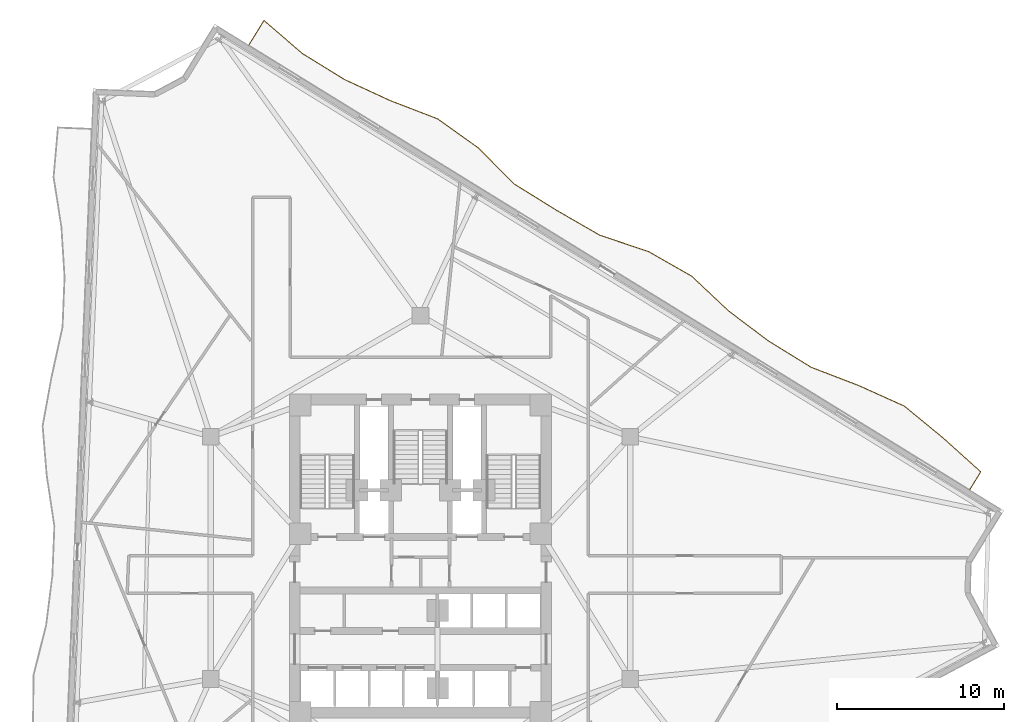
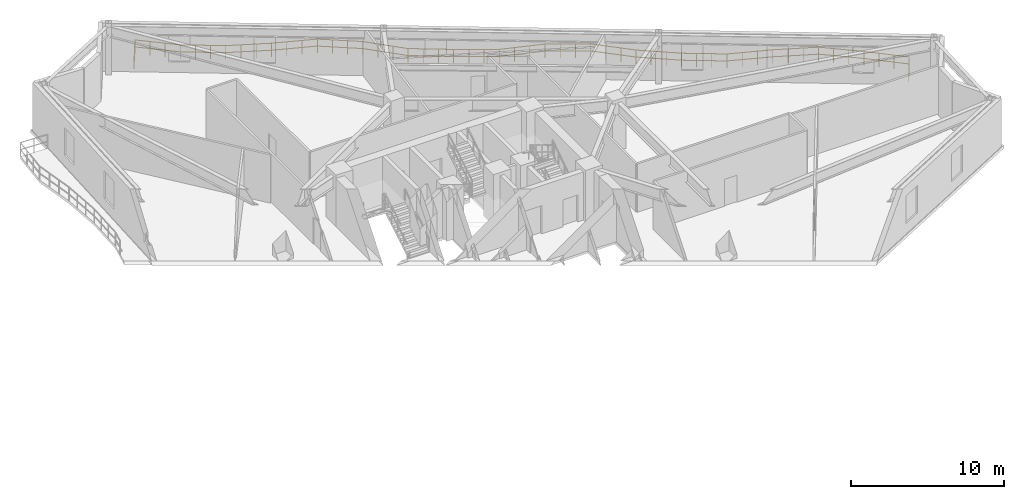
# One storey, part 10 of 10: 1 railing.
"""IFC4 building model written with IfcOpenShell, lengths in metres."""

from ifc_helpers import new_model, si_unit, direction, frame, origin, origin_2d, place, context, subcontext, project, spatial, rectangle, extrude, material, type_object, element, save


model = new_model("IFC4")

# Units and contexts
model_context = context("Model", 3, precision=1e-05, world=origin(), true_north=direction((0.0, 1.0)))
body_context = subcontext(model_context, "Body", "Model", "MODEL_VIEW")
ifc_project = project(units=[si_unit("LENGTHUNIT", "METRE"), si_unit("AREAUNIT", "SQUARE_METRE"), si_unit("VOLUMEUNIT", "CUBIC_METRE"), si_unit("PLANEANGLEUNIT", "RADIAN"), si_unit("MASSUNIT", "GRAM", prefix="KILO")], contexts=[model_context])

# Site, building, storey
site_placement = place(None, origin())
site = spatial("IfcSite", under=ifc_project, at=site_placement, CompositionType="ELEMENT")
building_placement = place(site_placement, origin())
building = spatial("IfcBuilding", under=site, at=building_placement, Name="Apsidion Concourse Tower", CompositionType="ELEMENT")
storey_placement = place(building_placement, frame((0.0, 0.0, 177.800048828125)))
storey = spatial("IfcBuildingStorey", under=building, at=storey_placement, Name="L41", CompositionType="ELEMENT", Elevation=177.800048828125)

# Railing
ifc_material = material(Name="Brushed stainless steel 316", Category="steel")
railing_type = type_object("IfcRailingType", Name="RL-BAL-1120", PredefinedType="BALUSTRADE", material=ifc_material)
railing_placement = place(storey_placement, frame((-10.277587890625, 30.70458984375, 0.0)))
element("IfcRailing", 1, at=railing_placement, inside=storey, type_object=railing_type, Name="L41 Face 3 Rippling Balcony Balustrade", PredefinedType="BALUSTRADE", context=body_context, shape_type="SweptSolid", body=[
    extrude(rectangle(XDim=0.048095703125, YDim=0.048095703125, at=origin_2d()), frame((0.0, 0.0, 1.09619140625), z_axis=(0.524924512657, 0.85114878606, 0.0), x_axis=(-0.85114878606, 0.524924512657, 0.0)), (0.0, 0.0, 1.0), 1.728759765625),
    extrude(rectangle(XDim=0.048095703125, YDim=0.048095703125, at=origin_2d()), frame((0.0, 0.0, 0.5361328125), z_axis=(0.524924512657, 0.85114878606, 0.0), x_axis=(-0.85114878606, 0.524924512657, 0.0)), (0.0, 0.0, 1.0), 1.728759765625),
    extrude(rectangle(XDim=0.048095703125, YDim=0.048095703125, at=origin_2d()), frame((0.907470703125, 1.471435546875, 1.09619140625), z_axis=(0.757193561992, -0.653190561535, 0.0), x_axis=(0.653190561535, 0.757193561992, 0.0)), (0.0, 0.0, 1.0), 3.021240234375),
    extrude(rectangle(XDim=0.048095703125, YDim=0.048095703125, at=origin_2d()), frame((0.907470703125, 1.471435546875, 0.5361328125), z_axis=(0.757193561992, -0.653190561535, 0.0), x_axis=(0.653190561535, 0.757193561992, 0.0)), (0.0, 0.0, 1.0), 3.021240234375),
    extrude(rectangle(XDim=0.048095703125, YDim=0.048095703125, at=origin_2d()), frame((3.195068359375, -0.501953125, 1.09619140625), z_axis=(0.851183058053, -0.524868937625, 0.0), x_axis=(0.524868937625, 0.851183058053, 0.0)), (0.0, 0.0, 1.0), 2.98291015625),
    extrude(rectangle(XDim=0.048095703125, YDim=0.048095703125, at=origin_2d()), frame((3.195068359375, -0.501953125, 0.5361328125), z_axis=(0.851183058053, -0.524868937625, 0.0), x_axis=(0.524868937625, 0.851183058053, 0.0)), (0.0, 0.0, 1.0), 2.98291015625),
    extrude(rectangle(XDim=0.048095703125, YDim=0.048095703125, at=origin_2d()), frame((5.734130859375, -2.067626953125, 1.09619140625), z_axis=(0.908011696972, -0.418944815176, 0.0), x_axis=(0.418944815176, 0.908011696972, 0.0)), (0.0, 0.0, 1.0), 3.004638671875),
    extrude(rectangle(XDim=0.048095703125, YDim=0.048095703125, at=origin_2d()), frame((5.734130859375, -2.067626953125, 0.5361328125), z_axis=(0.908011696972, -0.418944815176, 0.0), x_axis=(0.418944815176, 0.908011696972, 0.0)), (0.0, 0.0, 1.0), 3.004638671875),
    extrude(rectangle(XDim=0.048095703125, YDim=0.048095703125, at=origin_2d()), frame((8.46240234375, -3.326416015625, 1.09619140625), z_axis=(0.933299986644, -0.359097667676, 0.0), x_axis=(0.359097667676, 0.933299986644, 0.0)), (0.0, 0.0, 1.0), 3.034912109375),
    extrude(rectangle(XDim=0.048095703125, YDim=0.048095703125, at=origin_2d()), frame((8.46240234375, -3.326416015625, 0.5361328125), z_axis=(0.933299986644, -0.359097667676, 0.0), x_axis=(0.359097667676, 0.933299986644, 0.0)), (0.0, 0.0, 1.0), 3.034912109375),
    extrude(rectangle(XDim=0.048095703125, YDim=0.048095703125, at=origin_2d()), frame((11.294921875, -4.416259765625, 1.09619140625), z_axis=(0.814450183731, -0.580233485953, 0.0), x_axis=(0.580233485953, 0.814450183731, 0.0)), (0.0, 0.0, 1.0), 2.989501953125),
    extrude(rectangle(XDim=0.048095703125, YDim=0.048095703125, at=origin_2d()), frame((11.294921875, -4.416259765625, 0.5361328125), z_axis=(0.814450183731, -0.580233485953, 0.0), x_axis=(0.580233485953, 0.814450183731, 0.0)), (0.0, 0.0, 1.0), 2.989501953125),
    extrude(rectangle(XDim=0.048095703125, YDim=0.048095703125, at=origin_2d()), frame((13.729736328125, -6.15087890625, 1.09619140625), z_axis=(0.705712450908, -0.708498367418, 0.0), x_axis=(0.708498367418, 0.705712450908, 0.0)), (0.0, 0.0, 1.0), 3.067138671875),
    extrude(rectangle(XDim=0.048095703125, YDim=0.048095703125, at=origin_2d()), frame((13.729736328125, -6.15087890625, 0.5361328125), z_axis=(0.705712450908, -0.708498367418, 0.0), x_axis=(0.708498367418, 0.705712450908, 0.0)), (0.0, 0.0, 1.0), 3.067138671875),
    extrude(rectangle(XDim=0.048095703125, YDim=0.048095703125, at=origin_2d()), frame((15.894287109375, -8.323974609375, 1.09619140625), z_axis=(0.849772914147, -0.527148929983, 0.0), x_axis=(0.527148929983, 0.849772914147, 0.0)), (0.0, 0.0, 1.0), 2.983154296875),
    extrude(rectangle(XDim=0.048095703125, YDim=0.048095703125, at=origin_2d()), frame((15.894287109375, -8.323974609375, 0.5361328125), z_axis=(0.849772914147, -0.527148929983, 0.0), x_axis=(0.527148929983, 0.849772914147, 0.0)), (0.0, 0.0, 1.0), 2.983154296875),
    extrude(rectangle(XDim=0.048095703125, YDim=0.048095703125, at=origin_2d()), frame((18.42919921875, -9.896484375, 1.09619140625), z_axis=(0.866257759946, -0.499597331192, 0.0), x_axis=(0.499597331192, 0.866257759946, 0.0)), (0.0, 0.0, 1.0), 2.984375),
    extrude(rectangle(XDim=0.048095703125, YDim=0.048095703125, at=origin_2d()), frame((18.42919921875, -9.896484375, 0.5361328125), z_axis=(0.866257759946, -0.499597331192, 0.0), x_axis=(0.499597331192, 0.866257759946, 0.0)), (0.0, 0.0, 1.0), 2.984375),
    extrude(rectangle(XDim=0.048095703125, YDim=0.048095703125, at=origin_2d()), frame((21.014404296875, -11.387451171875, 1.09619140625), z_axis=(0.948131875002, -0.317877252418, 0.0), x_axis=(0.317877252418, 0.948131875002, 0.0)), (0.0, 0.0, 1.0), 3.06298828125),
    extrude(rectangle(XDim=0.048095703125, YDim=0.048095703125, at=origin_2d()), frame((21.014404296875, -11.387451171875, 0.5361328125), z_axis=(0.948131875002, -0.317877252418, 0.0), x_axis=(0.317877252418, 0.948131875002, 0.0)), (0.0, 0.0, 1.0), 3.06298828125),
    extrude(rectangle(XDim=0.048095703125, YDim=0.048095703125, at=origin_2d()), frame((23.91845703125, -12.361083984375, 1.09619140625), z_axis=(0.869067436408, -0.494693633449, 0.0), x_axis=(0.494693633449, 0.869067436408, 0.0)), (0.0, 0.0, 1.0), 2.98486328125),
    extrude(rectangle(XDim=0.048095703125, YDim=0.048095703125, at=origin_2d()), frame((23.91845703125, -12.361083984375, 0.5361328125), z_axis=(0.869067436408, -0.494693633449, 0.0), x_axis=(0.494693633449, 0.869067436408, 0.0)), (0.0, 0.0, 1.0), 2.98486328125),
    extrude(rectangle(XDim=0.048095703125, YDim=0.048095703125, at=origin_2d()), frame((26.512451171875, -13.837646484375, 1.09619140625), z_axis=(0.72779743554, -0.68579216445, 0.0), x_axis=(0.68579216445, 0.72779743554, 0.0)), (0.0, 0.0, 1.0), 3.045654296875),
    extrude(rectangle(XDim=0.048095703125, YDim=0.048095703125, at=origin_2d()), frame((26.512451171875, -13.837646484375, 0.5361328125), z_axis=(0.72779743554, -0.68579216445, 0.0), x_axis=(0.68579216445, 0.72779743554, 0.0)), (0.0, 0.0, 1.0), 3.045654296875),
    extrude(rectangle(XDim=0.048095703125, YDim=0.048095703125, at=origin_2d()), frame((28.72900390625, -15.92626953125, 1.09619140625), z_axis=(0.799618407895, -0.600508452693, 0.0), x_axis=(0.600508452693, 0.799618407895, 0.0)), (0.0, 0.0, 1.0), 2.99560546875),
    extrude(rectangle(XDim=0.048095703125, YDim=0.048095703125, at=origin_2d()), frame((28.72900390625, -15.92626953125, 0.5361328125), z_axis=(0.799618407895, -0.600508452693, 0.0), x_axis=(0.600508452693, 0.799618407895, 0.0)), (0.0, 0.0, 1.0), 2.99560546875),
    extrude(rectangle(XDim=0.048095703125, YDim=0.048095703125, at=origin_2d()), frame((31.124267578125, -17.72509765625, 1.09619140625), z_axis=(0.851160508561, -0.52490550451, 0.0), x_axis=(0.52490550451, 0.851160508561, 0.0)), (0.0, 0.0, 1.0), 2.982666015625),
    extrude(rectangle(XDim=0.048095703125, YDim=0.048095703125, at=origin_2d()), frame((31.124267578125, -17.72509765625, 0.5361328125), z_axis=(0.851160508561, -0.52490550451, 0.0), x_axis=(0.52490550451, 0.851160508561, 0.0)), (0.0, 0.0, 1.0), 2.982666015625),
    extrude(rectangle(XDim=0.048095703125, YDim=0.048095703125, at=origin_2d()), frame((33.6630859375, -19.290771484375, 1.09619140625), z_axis=(0.93347614032, -0.358639506263, 0.0), x_axis=(0.358639506263, 0.93347614032, 0.0)), (0.0, 0.0, 1.0), 3.035400390625),
    extrude(rectangle(XDim=0.048095703125, YDim=0.048095703125, at=origin_2d()), frame((33.6630859375, -19.290771484375, 0.5361328125), z_axis=(0.93347614032, -0.358639506263, 0.0), x_axis=(0.358639506263, 0.93347614032, 0.0)), (0.0, 0.0, 1.0), 3.035400390625),
    extrude(rectangle(XDim=0.048095703125, YDim=0.048095703125, at=origin_2d()), frame((36.49658203125, -20.37939453125, 1.09619140625), z_axis=(0.911927579512, -0.410351178535, 0.0), x_axis=(0.410351178535, 0.911927579512, 0.0)), (0.0, 0.0, 1.0), 3.008056640625),
    extrude(rectangle(XDim=0.048095703125, YDim=0.048095703125, at=origin_2d()), frame((36.49658203125, -20.37939453125, 0.5361328125), z_axis=(0.911927579512, -0.410351178535, 0.0), x_axis=(0.410351178535, 0.911927579512, 0.0)), (0.0, 0.0, 1.0), 3.008056640625),
    extrude(rectangle(XDim=0.048095703125, YDim=0.048095703125, at=origin_2d()), frame((39.23974609375, -21.61376953125, 1.09619140625), z_axis=(0.772781655081, -0.634671973204, 0.0), x_axis=(0.634671973204, 0.772781655081, 0.0)), (0.0, 0.0, 1.0), 3.010498046875),
    extrude(rectangle(XDim=0.048095703125, YDim=0.048095703125, at=origin_2d()), frame((39.23974609375, -21.61376953125, 0.5361328125), z_axis=(0.772781655081, -0.634671973204, 0.0), x_axis=(0.634671973204, 0.772781655081, 0.0)), (0.0, 0.0, 1.0), 3.010498046875),
    extrude(rectangle(XDim=0.048095703125, YDim=0.048095703125, at=origin_2d()), frame((41.566162109375, -23.5244140625, 1.09619140625), z_axis=(0.742981796085, -0.669311624497, 0.0), x_axis=(0.669311624497, 0.742981796085, 0.0)), (0.0, 0.0, 1.0), 3.0322265625),
    extrude(rectangle(XDim=0.048095703125, YDim=0.048095703125, at=origin_2d()), frame((41.566162109375, -23.5244140625, 0.5361328125), z_axis=(0.742981796085, -0.669311624497, 0.0), x_axis=(0.669311624497, 0.742981796085, 0.0)), (0.0, 0.0, 1.0), 3.0322265625),
    extrude(rectangle(XDim=0.048095703125, YDim=0.048095703125, at=origin_2d()), frame((43.819091796875, -25.553955078125, 1.09619140625), z_axis=(-0.524827381313, -0.851208681713, 0.0), x_axis=(0.851208681713, -0.524827381313, 0.0)), (0.0, 0.0, 1.0), 1.25),
    extrude(rectangle(XDim=0.048095703125, YDim=0.048095703125, at=origin_2d()), frame((43.819091796875, -25.553955078125, 0.5361328125), z_axis=(-0.524827381313, -0.851208681713, 0.0), x_axis=(0.851208681713, -0.524827381313, 0.0)), (0.0, 0.0, 1.0), 1.25),
    extrude(rectangle(XDim=0.0419921875, YDim=0.0419921875, at=origin_2d()), origin(), (0.0, 0.0, 1.0), 1.072021484375),
    extrude(rectangle(XDim=0.0419921875, YDim=0.0419921875, at=origin_2d()), frame((0.45361328125, 0.73583984375, 0.0)), (0.0, 0.0, 1.0), 1.072021484375),
    extrude(rectangle(XDim=0.0419921875, YDim=0.0419921875, at=origin_2d()), frame((0.907470703125, 1.471435546875, 0.0)), (0.0, 0.0, 1.0), 1.072021484375),
    extrude(rectangle(XDim=0.0419921875, YDim=0.0419921875, at=origin_2d()), frame((1.669921875, 0.813720703125, 0.0)), (0.0, 0.0, 1.0), 1.072021484375),
    extrude(rectangle(XDim=0.0419921875, YDim=0.0419921875, at=origin_2d()), frame((2.4326171875, 0.15576171875, 0.0)), (0.0, 0.0, 1.0), 1.072021484375),
    extrude(rectangle(XDim=0.0419921875, YDim=0.0419921875, at=origin_2d()), frame((3.195068359375, -0.501953125, 0.0)), (0.0, 0.0, 1.0), 1.072021484375),
    extrude(rectangle(XDim=0.0419921875, YDim=0.0419921875, at=origin_2d()), frame((4.04150390625, -1.02392578125, 0.0)), (0.0, 0.0, 1.0), 1.072021484375),
    extrude(rectangle(XDim=0.0419921875, YDim=0.0419921875, at=origin_2d()), frame((4.8876953125, -1.545654296875, 0.0)), (0.0, 0.0, 1.0), 1.072021484375),
    extrude(rectangle(XDim=0.0419921875, YDim=0.0419921875, at=origin_2d()), frame((5.734130859375, -2.067626953125, 0.0)), (0.0, 0.0, 1.0), 1.072021484375),
    extrude(rectangle(XDim=0.0419921875, YDim=0.0419921875, at=origin_2d()), frame((6.6435546875, -2.4873046875, 0.0)), (0.0, 0.0, 1.0), 1.072021484375),
    extrude(rectangle(XDim=0.0419921875, YDim=0.0419921875, at=origin_2d()), frame((7.552978515625, -2.90673828125, 0.0)), (0.0, 0.0, 1.0), 1.072021484375),
    extrude(rectangle(XDim=0.0419921875, YDim=0.0419921875, at=origin_2d()), frame((8.46240234375, -3.326416015625, 0.0)), (0.0, 0.0, 1.0), 1.072021484375),
    extrude(rectangle(XDim=0.0419921875, YDim=0.0419921875, at=origin_2d()), frame((9.406494140625, -3.689697265625, 0.0)), (0.0, 0.0, 1.0), 1.072021484375),
    extrude(rectangle(XDim=0.0419921875, YDim=0.0419921875, at=origin_2d()), frame((10.350830078125, -4.052978515625, 0.0)), (0.0, 0.0, 1.0), 1.072021484375),
    extrude(rectangle(XDim=0.0419921875, YDim=0.0419921875, at=origin_2d()), frame((11.294921875, -4.416259765625, 0.0)), (0.0, 0.0, 1.0), 1.072021484375),
    extrude(rectangle(XDim=0.0419921875, YDim=0.0419921875, at=origin_2d()), frame((12.1064453125, -4.994384765625, 0.0)), (0.0, 0.0, 1.0), 1.072021484375),
    extrude(rectangle(XDim=0.0419921875, YDim=0.0419921875, at=origin_2d()), frame((12.918212890625, -5.57275390625, 0.0)), (0.0, 0.0, 1.0), 1.072021484375),
    extrude(rectangle(XDim=0.0419921875, YDim=0.0419921875, at=origin_2d()), frame((13.729736328125, -6.15087890625, 0.0)), (0.0, 0.0, 1.0), 1.072021484375),
    extrude(rectangle(XDim=0.0419921875, YDim=0.0419921875, at=origin_2d()), frame((14.451171875, -6.875244140625, 0.0)), (0.0, 0.0, 1.0), 1.072021484375),
    extrude(rectangle(XDim=0.0419921875, YDim=0.0419921875, at=origin_2d()), frame((15.1728515625, -7.599609375, 0.0)), (0.0, 0.0, 1.0), 1.072021484375),
    extrude(rectangle(XDim=0.0419921875, YDim=0.0419921875, at=origin_2d()), frame((15.894287109375, -8.323974609375, 0.0)), (0.0, 0.0, 1.0), 1.072021484375),
    extrude(rectangle(XDim=0.0419921875, YDim=0.0419921875, at=origin_2d()), frame((16.7392578125, -8.84814453125, 0.0)), (0.0, 0.0, 1.0), 1.072021484375),
    extrude(rectangle(XDim=0.0419921875, YDim=0.0419921875, at=origin_2d()), frame((17.584228515625, -9.372314453125, 0.0)), (0.0, 0.0, 1.0), 1.072021484375),
    extrude(rectangle(XDim=0.0419921875, YDim=0.0419921875, at=origin_2d()), frame((18.42919921875, -9.896484375, 0.0)), (0.0, 0.0, 1.0), 1.072021484375),
    extrude(rectangle(XDim=0.0419921875, YDim=0.0419921875, at=origin_2d()), frame((19.291015625, -10.3935546875, 0.0)), (0.0, 0.0, 1.0), 1.072021484375),
    extrude(rectangle(XDim=0.0419921875, YDim=0.0419921875, at=origin_2d()), frame((20.152587890625, -10.890380859375, 0.0)), (0.0, 0.0, 1.0), 1.072021484375),
    extrude(rectangle(XDim=0.0419921875, YDim=0.0419921875, at=origin_2d()), frame((21.014404296875, -11.387451171875, 0.0)), (0.0, 0.0, 1.0), 1.072021484375),
    extrude(rectangle(XDim=0.0419921875, YDim=0.0419921875, at=origin_2d()), frame((21.982421875, -11.7119140625, 0.0)), (0.0, 0.0, 1.0), 1.072021484375),
    extrude(rectangle(XDim=0.0419921875, YDim=0.0419921875, at=origin_2d()), frame((22.950439453125, -12.03662109375, 0.0)), (0.0, 0.0, 1.0), 1.072021484375),
    extrude(rectangle(XDim=0.0419921875, YDim=0.0419921875, at=origin_2d()), frame((23.91845703125, -12.361083984375, 0.0)), (0.0, 0.0, 1.0), 1.072021484375),
    extrude(rectangle(XDim=0.0419921875, YDim=0.0419921875, at=origin_2d()), frame((24.783203125, -12.853271484375, 0.0)), (0.0, 0.0, 1.0), 1.072021484375),
    extrude(rectangle(XDim=0.0419921875, YDim=0.0419921875, at=origin_2d()), frame((25.647705078125, -13.345458984375, 0.0)), (0.0, 0.0, 1.0), 1.072021484375),
    extrude(rectangle(XDim=0.0419921875, YDim=0.0419921875, at=origin_2d()), frame((26.512451171875, -13.837646484375, 0.0)), (0.0, 0.0, 1.0), 1.072021484375),
    extrude(rectangle(XDim=0.0419921875, YDim=0.0419921875, at=origin_2d()), frame((27.251220703125, -14.533935546875, 0.0)), (0.0, 0.0, 1.0), 1.072021484375),
    extrude(rectangle(XDim=0.0419921875, YDim=0.0419921875, at=origin_2d()), frame((27.990234375, -15.22998046875, 0.0)), (0.0, 0.0, 1.0), 1.072021484375),
    extrude(rectangle(XDim=0.0419921875, YDim=0.0419921875, at=origin_2d()), frame((28.72900390625, -15.92626953125, 0.0)), (0.0, 0.0, 1.0), 1.072021484375),
    extrude(rectangle(XDim=0.0419921875, YDim=0.0419921875, at=origin_2d()), frame((29.52734375, -16.52587890625, 0.0)), (0.0, 0.0, 1.0), 1.072021484375),
    extrude(rectangle(XDim=0.0419921875, YDim=0.0419921875, at=origin_2d()), frame((30.325927734375, -17.12548828125, 0.0)), (0.0, 0.0, 1.0), 1.072021484375),
    extrude(rectangle(XDim=0.0419921875, YDim=0.0419921875, at=origin_2d()), frame((31.124267578125, -17.72509765625, 0.0)), (0.0, 0.0, 1.0), 1.072021484375),
    extrude(rectangle(XDim=0.0419921875, YDim=0.0419921875, at=origin_2d()), frame((31.970458984375, -18.2470703125, 0.0)), (0.0, 0.0, 1.0), 1.072021484375),
    extrude(rectangle(XDim=0.0419921875, YDim=0.0419921875, at=origin_2d()), frame((32.81689453125, -18.768798828125, 0.0)), (0.0, 0.0, 1.0), 1.072021484375),
    extrude(rectangle(XDim=0.0419921875, YDim=0.0419921875, at=origin_2d()), frame((33.6630859375, -19.290771484375, 0.0)), (0.0, 0.0, 1.0), 1.072021484375),
    extrude(rectangle(XDim=0.0419921875, YDim=0.0419921875, at=origin_2d()), frame((34.607666015625, -19.653564453125, 0.0)), (0.0, 0.0, 1.0), 1.072021484375),
    extrude(rectangle(XDim=0.0419921875, YDim=0.0419921875, at=origin_2d()), frame((35.552001953125, -20.0166015625, 0.0)), (0.0, 0.0, 1.0), 1.072021484375),
    extrude(rectangle(XDim=0.0419921875, YDim=0.0419921875, at=origin_2d()), frame((36.49658203125, -20.37939453125, 0.0)), (0.0, 0.0, 1.0), 1.072021484375),
    extrude(rectangle(XDim=0.0419921875, YDim=0.0419921875, at=origin_2d()), frame((37.410888671875, -20.790771484375, 0.0)), (0.0, 0.0, 1.0), 1.072021484375),
    extrude(rectangle(XDim=0.0419921875, YDim=0.0419921875, at=origin_2d()), frame((38.325439453125, -21.202392578125, 0.0)), (0.0, 0.0, 1.0), 1.072021484375),
    extrude(rectangle(XDim=0.0419921875, YDim=0.0419921875, at=origin_2d()), frame((39.23974609375, -21.61376953125, 0.0)), (0.0, 0.0, 1.0), 1.072021484375),
    extrude(rectangle(XDim=0.0419921875, YDim=0.0419921875, at=origin_2d()), frame((40.01513671875, -22.250732421875, 0.0)), (0.0, 0.0, 1.0), 1.072021484375),
    extrude(rectangle(XDim=0.0419921875, YDim=0.0419921875, at=origin_2d()), frame((40.790771484375, -22.887451171875, 0.0)), (0.0, 0.0, 1.0), 1.072021484375),
    extrude(rectangle(XDim=0.0419921875, YDim=0.0419921875, at=origin_2d()), frame((41.566162109375, -23.5244140625, 0.0)), (0.0, 0.0, 1.0), 1.072021484375),
    extrude(rectangle(XDim=0.0419921875, YDim=0.0419921875, at=origin_2d()), frame((42.317138671875, -24.200927734375, 0.0)), (0.0, 0.0, 1.0), 1.072021484375),
    extrude(rectangle(XDim=0.0419921875, YDim=0.0419921875, at=origin_2d()), frame((43.068115234375, -24.87744140625, 0.0)), (0.0, 0.0, 1.0), 1.072021484375),
    extrude(rectangle(XDim=0.0419921875, YDim=0.0419921875, at=origin_2d()), frame((43.819091796875, -25.553955078125, 0.0)), (0.0, 0.0, 1.0), 1.072021484375),
    extrude(rectangle(XDim=0.0419921875, YDim=0.0419921875, at=origin_2d()), frame((43.4912109375, -26.0859375, 0.0)), (0.0, 0.0, 1.0), 1.072021484375),
    extrude(rectangle(XDim=0.0419921875, YDim=0.0419921875, at=origin_2d()), frame((43.1630859375, -26.617919921875, 0.0)), (0.0, 0.0, 1.0), 1.072021484375),
])

save(model, "model.ifc")
